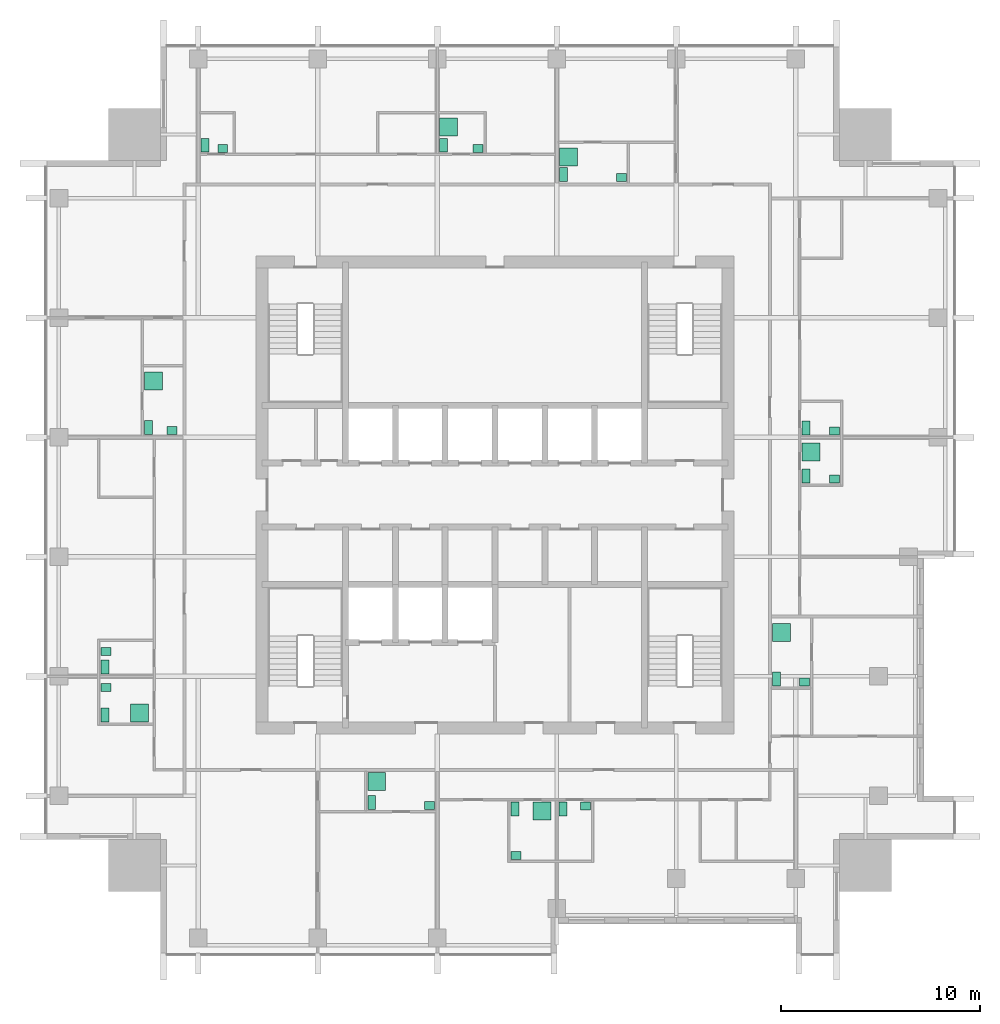
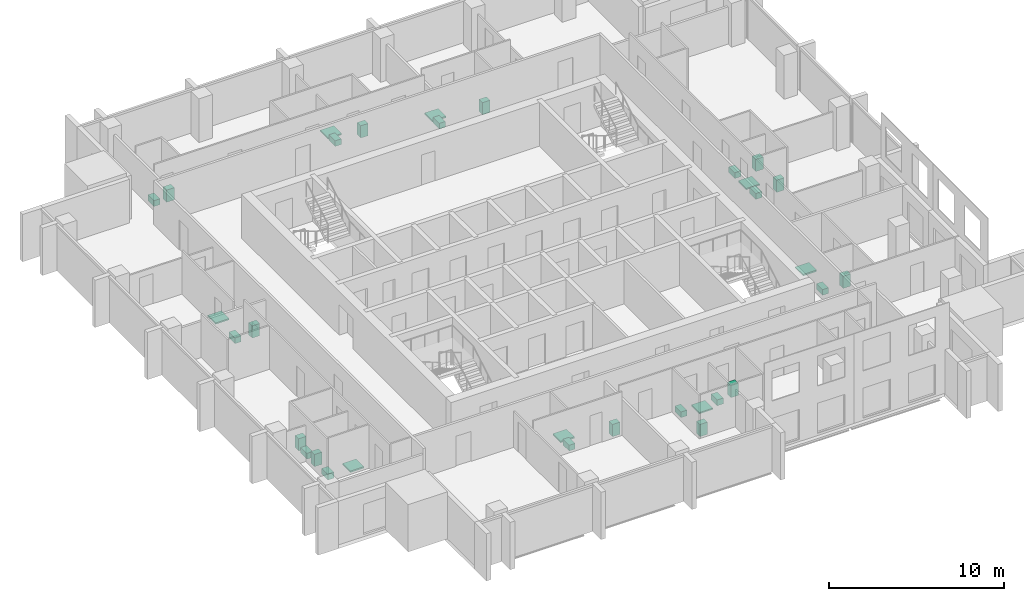
# One storey, part 11 of 11: 32 sanitary terminals.
"""IFC4 building model written with IfcOpenShell, lengths in metres."""

from ifc_helpers import new_model, si_unit, direction, frame, origin, origin_2d, place, context, subcontext, project, spatial, rectangle, extrude, element, save


model = new_model("IFC4")

# Units and contexts
model_context = context("Model", 3, precision=1e-05, world=origin(), true_north=direction((0.0, 1.0)))
body_context = subcontext(model_context, "Body", "Model", "MODEL_VIEW")
ifc_project = project(units=[si_unit("LENGTHUNIT", "METRE"), si_unit("AREAUNIT", "SQUARE_METRE"), si_unit("VOLUMEUNIT", "CUBIC_METRE"), si_unit("PLANEANGLEUNIT", "RADIAN"), si_unit("MASSUNIT", "GRAM", prefix="KILO")], contexts=[model_context])

# Site, building, storey
site_placement = place(None, origin())
site = spatial("IfcSite", under=ifc_project, at=site_placement, CompositionType="ELEMENT")
building_placement = place(site_placement, origin())
building = spatial("IfcBuilding", under=site, at=building_placement, Name="Amberfall Residences", CompositionType="ELEMENT")
storey_placement = place(building_placement, frame((0.0, 0.0, 223.300048828125)))
storey = spatial("IfcBuildingStorey", under=building, at=storey_placement, Name="L60", CompositionType="ELEMENT", Elevation=223.300048828125)

# Sanitary terminals
sanitary_terminal_1_placement = place(storey_placement, frame((68.31005859375, 30.06005859375, 0.0), z_axis=(0.0, 0.0, 1.0), x_axis=(1.0, 0.0, 0.0)))
element("IfcSanitaryTerminal", 1, at=sanitary_terminal_1_placement, inside=storey, Name="Water closet 6001", PredefinedType="TOILETPAN", context=body_context, shape_type="SweptSolid", body=[
    extrude(rectangle(XDim=0.39990234375, YDim=0.699951171875, at=origin_2d()), origin(), (0.0, 0.0, 1.0), 0.39990234375),
])
sanitary_terminal_2_placement = place(storey_placement, frame((71.215087890625, 29.909912109375, 0.0), z_axis=(0.0, 0.0, 1.0), x_axis=(1.0, 0.0, 0.0)))
element("IfcSanitaryTerminal", 2, at=sanitary_terminal_2_placement, inside=storey, Name="Basin 6001", PredefinedType="WASHHANDBASIN", context=body_context, shape_type="SweptSolid", body=[
    extrude(rectangle(XDim=0.5, YDim=0.39990234375, at=origin_2d()), origin(), (0.0, 0.0, 1.0), 0.85009765625),
])
sanitary_terminal_3_placement = place(storey_placement, frame((68.56005859375, 31.114990234375, 0.0), z_axis=(0.0, 0.0, 1.0), x_axis=(1.0, 0.0, 0.0)))
element("IfcSanitaryTerminal", 3, at=sanitary_terminal_3_placement, inside=storey, Name="Shower tray 6001", PredefinedType="SHOWER", context=body_context, shape_type="SweptSolid", body=[
    extrude(rectangle(XDim=0.89990234375, YDim=0.89990234375, at=origin_2d()), origin(), (0.0, 0.0, 1.0), 0.10009765625),
])
sanitary_terminal_4_placement = place(storey_placement, frame((77.909912109375, 29.739990234375, 0.0), z_axis=(0.0, 0.0, 1.0), x_axis=(1.0, 0.0, 0.0)))
element("IfcSanitaryTerminal", 4, at=sanitary_terminal_4_placement, inside=storey, Name="Water closet 6002 1", PredefinedType="TOILETPAN", context=body_context, shape_type="SweptSolid", body=[
    extrude(rectangle(XDim=0.39990234375, YDim=0.699951171875, at=origin_2d()), origin(), (0.0, 0.0, 1.0), 0.39990234375),
])
sanitary_terminal_5_placement = place(storey_placement, frame((79.0400390625, 29.889892578125, 0.0), z_axis=(0.0, 0.0, 1.0), x_axis=(1.0, 0.0, 0.0)))
element("IfcSanitaryTerminal", 5, at=sanitary_terminal_5_placement, inside=storey, Name="Basin 6002 1", PredefinedType="WASHHANDBASIN", context=body_context, shape_type="SweptSolid", body=[
    extrude(rectangle(XDim=0.5, YDim=0.39990234375, at=origin_2d()), origin(), (0.0, 0.0, 1.0), 0.85009765625),
])
sanitary_terminal_6_placement = place(storey_placement, frame((75.510009765625, 29.739990234375, 0.0), z_axis=(0.0, 0.0, 1.0), x_axis=(1.0, 0.0, 0.0)))
element("IfcSanitaryTerminal", 6, at=sanitary_terminal_6_placement, inside=storey, Name="Water closet 6002", PredefinedType="TOILETPAN", context=body_context, shape_type="SweptSolid", body=[
    extrude(rectangle(XDim=0.39990234375, YDim=0.699951171875, at=origin_2d()), origin(), (0.0, 0.0, 1.0), 0.39990234375),
])
sanitary_terminal_7_placement = place(storey_placement, frame((75.56005859375, 27.409912109375, 0.0), z_axis=(0.0, 0.0, 1.0), x_axis=(1.0, 0.0, 0.0)))
element("IfcSanitaryTerminal", 7, at=sanitary_terminal_7_placement, inside=storey, Name="Basin 6002", PredefinedType="WASHHANDBASIN", context=body_context, shape_type="SweptSolid", body=[
    extrude(rectangle(XDim=0.5, YDim=0.39990234375, at=origin_2d()), origin(), (0.0, 0.0, 1.0), 0.85009765625),
])
sanitary_terminal_8_placement = place(storey_placement, frame((76.857177734375, 29.639892578125, 0.0), z_axis=(0.0, 0.0, 1.0), x_axis=(1.0, 0.0, 0.0)))
element("IfcSanitaryTerminal", 8, at=sanitary_terminal_8_placement, inside=storey, Name="Shower tray 6002", PredefinedType="SHOWER", context=body_context, shape_type="SweptSolid", body=[
    extrude(rectangle(XDim=0.89990234375, YDim=0.89990234375, at=origin_2d()), origin(), (0.0, 0.0, 1.0), 0.10009765625),
])
sanitary_terminal_9_placement = place(storey_placement, frame((88.635009765625, 36.260009765625, 0.0), z_axis=(0.0, 0.0, 1.0), x_axis=(1.0, 0.0, 0.0)))
element("IfcSanitaryTerminal", 9, at=sanitary_terminal_9_placement, inside=storey, Name="Water closet 6003", PredefinedType="TOILETPAN", context=body_context, shape_type="SweptSolid", body=[
    extrude(rectangle(XDim=0.39990234375, YDim=0.699951171875, at=origin_2d()), origin(), (0.0, 0.0, 1.0), 0.39990234375),
])
sanitary_terminal_10_placement = place(storey_placement, frame((90.0400390625, 36.110107421875, 0.0), z_axis=(0.0, 0.0, 1.0), x_axis=(1.0, 0.0, 0.0)))
element("IfcSanitaryTerminal", 10, at=sanitary_terminal_10_placement, inside=storey, Name="Basin 6003", PredefinedType="WASHHANDBASIN", context=body_context, shape_type="SweptSolid", body=[
    extrude(rectangle(XDim=0.5, YDim=0.39990234375, at=origin_2d()), origin(), (0.0, 0.0, 1.0), 0.85009765625),
])
sanitary_terminal_11_placement = place(storey_placement, frame((88.885009765625, 38.591796875, 0.0), z_axis=(0.0, 0.0, 1.0), x_axis=(1.0, 0.0, 0.0)))
element("IfcSanitaryTerminal", 11, at=sanitary_terminal_11_placement, inside=storey, Name="Shower tray 6003", PredefinedType="SHOWER", context=body_context, shape_type="SweptSolid", body=[
    extrude(rectangle(XDim=0.89990234375, YDim=0.89990234375, at=origin_2d()), origin(), (0.0, 0.0, 1.0), 0.10009765625),
])
sanitary_terminal_12_placement = place(storey_placement, frame((90.110107421875, 48.860107421875, 0.0), z_axis=(0.0, 0.0, 1.0), x_axis=(1.0, 0.0, 0.0)))
element("IfcSanitaryTerminal", 12, at=sanitary_terminal_12_placement, inside=storey, Name="Water closet 6004 1", PredefinedType="TOILETPAN", context=body_context, shape_type="SweptSolid", body=[
    extrude(rectangle(XDim=0.39990234375, YDim=0.699951171875, at=origin_2d()), origin(), (0.0, 0.0, 1.0), 0.39990234375),
])
sanitary_terminal_13_placement = place(storey_placement, frame((91.5400390625, 48.7099609375, 0.0), z_axis=(0.0, 0.0, 1.0), x_axis=(1.0, 0.0, 0.0)))
element("IfcSanitaryTerminal", 13, at=sanitary_terminal_13_placement, inside=storey, Name="Basin 6004 1", PredefinedType="WASHHANDBASIN", context=body_context, shape_type="SweptSolid", body=[
    extrude(rectangle(XDim=0.5, YDim=0.39990234375, at=origin_2d()), origin(), (0.0, 0.0, 1.0), 0.85009765625),
])
sanitary_terminal_14_placement = place(storey_placement, frame((90.110107421875, 46.4599609375, 0.0), z_axis=(0.0, 0.0, 1.0), x_axis=(1.0, 0.0, 0.0)))
element("IfcSanitaryTerminal", 14, at=sanitary_terminal_14_placement, inside=storey, Name="Water closet 6004", PredefinedType="TOILETPAN", context=body_context, shape_type="SweptSolid", body=[
    extrude(rectangle(XDim=0.39990234375, YDim=0.699951171875, at=origin_2d()), origin(), (0.0, 0.0, 1.0), 0.39990234375),
])
sanitary_terminal_15_placement = place(storey_placement, frame((91.5400390625, 46.31005859375, 0.0), z_axis=(0.0, 0.0, 1.0), x_axis=(1.0, 0.0, 0.0)))
element("IfcSanitaryTerminal", 15, at=sanitary_terminal_15_placement, inside=storey, Name="Basin 6004", PredefinedType="WASHHANDBASIN", context=body_context, shape_type="SweptSolid", body=[
    extrude(rectangle(XDim=0.5, YDim=0.39990234375, at=origin_2d()), origin(), (0.0, 0.0, 1.0), 0.85009765625),
])
sanitary_terminal_16_placement = place(storey_placement, frame((90.360107421875, 47.6572265625, 0.0), z_axis=(0.0, 0.0, 1.0), x_axis=(1.0, 0.0, 0.0)))
element("IfcSanitaryTerminal", 16, at=sanitary_terminal_16_placement, inside=storey, Name="Shower tray 6004", PredefinedType="SHOWER", context=body_context, shape_type="SweptSolid", body=[
    extrude(rectangle(XDim=0.89990234375, YDim=0.89990234375, at=origin_2d()), origin(), (0.0, 0.0, 1.0), 0.10009765625),
])
sanitary_terminal_17_placement = place(storey_placement, frame((59.93505859375, 63.06005859375, 0.0), z_axis=(0.0, 0.0, 1.0), x_axis=(1.0, 0.0, 0.0)))
element("IfcSanitaryTerminal", 17, at=sanitary_terminal_17_placement, inside=storey, Name="Water closet 6005 1", PredefinedType="TOILETPAN", context=body_context, shape_type="SweptSolid", body=[
    extrude(rectangle(XDim=0.39990234375, YDim=0.699951171875, at=origin_2d()), origin(), (0.0, 0.0, 1.0), 0.39990234375),
])
sanitary_terminal_18_placement = place(storey_placement, frame((60.8291015625, 62.909912109375, 0.0), z_axis=(0.0, 0.0, 1.0), x_axis=(1.0, 0.0, 0.0)))
element("IfcSanitaryTerminal", 18, at=sanitary_terminal_18_placement, inside=storey, Name="Basin 6005 1", PredefinedType="WASHHANDBASIN", context=body_context, shape_type="SweptSolid", body=[
    extrude(rectangle(XDim=0.5, YDim=0.39990234375, at=origin_2d()), origin(), (0.0, 0.0, 1.0), 0.85009765625),
])
sanitary_terminal_19_placement = place(storey_placement, frame((71.909912109375, 63.06005859375, 0.0), z_axis=(0.0, 0.0, 1.0), x_axis=(1.0, 0.0, 0.0)))
element("IfcSanitaryTerminal", 19, at=sanitary_terminal_19_placement, inside=storey, Name="Water closet 6005", PredefinedType="TOILETPAN", context=body_context, shape_type="SweptSolid", body=[
    extrude(rectangle(XDim=0.39990234375, YDim=0.699951171875, at=origin_2d()), origin(), (0.0, 0.0, 1.0), 0.39990234375),
])
sanitary_terminal_20_placement = place(storey_placement, frame((73.639892578125, 62.909912109375, 0.0), z_axis=(0.0, 0.0, 1.0), x_axis=(1.0, 0.0, 0.0)))
element("IfcSanitaryTerminal", 20, at=sanitary_terminal_20_placement, inside=storey, Name="Basin 6005", PredefinedType="WASHHANDBASIN", context=body_context, shape_type="SweptSolid", body=[
    extrude(rectangle(XDim=0.5, YDim=0.39990234375, at=origin_2d()), origin(), (0.0, 0.0, 1.0), 0.85009765625),
])
sanitary_terminal_21_placement = place(storey_placement, frame((72.159912109375, 63.9765625, 0.0), z_axis=(0.0, 0.0, 1.0), x_axis=(1.0, 0.0, 0.0)))
element("IfcSanitaryTerminal", 21, at=sanitary_terminal_21_placement, inside=storey, Name="Shower tray 6005", PredefinedType="SHOWER", context=body_context, shape_type="SweptSolid", body=[
    extrude(rectangle(XDim=0.89990234375, YDim=0.89990234375, at=origin_2d()), origin(), (0.0, 0.0, 1.0), 0.10009765625),
])
sanitary_terminal_22_placement = place(storey_placement, frame((77.93505859375, 61.5849609375, 0.0), z_axis=(0.0, 0.0, 1.0), x_axis=(1.0, 0.0, 0.0)))
element("IfcSanitaryTerminal", 22, at=sanitary_terminal_22_placement, inside=storey, Name="Water closet 6006", PredefinedType="TOILETPAN", context=body_context, shape_type="SweptSolid", body=[
    extrude(rectangle(XDim=0.39990234375, YDim=0.699951171875, at=origin_2d()), origin(), (0.0, 0.0, 1.0), 0.39990234375),
])
sanitary_terminal_23_placement = place(storey_placement, frame((80.840087890625, 61.43505859375, 0.0), z_axis=(0.0, 0.0, 1.0), x_axis=(1.0, 0.0, 0.0)))
element("IfcSanitaryTerminal", 23, at=sanitary_terminal_23_placement, inside=storey, Name="Basin 6006", PredefinedType="WASHHANDBASIN", context=body_context, shape_type="SweptSolid", body=[
    extrude(rectangle(XDim=0.5, YDim=0.39990234375, at=origin_2d()), origin(), (0.0, 0.0, 1.0), 0.85009765625),
])
sanitary_terminal_24_placement = place(storey_placement, frame((78.18505859375, 62.480712890625, 0.0), z_axis=(0.0, 0.0, 1.0), x_axis=(1.0, 0.0, 0.0)))
element("IfcSanitaryTerminal", 24, at=sanitary_terminal_24_placement, inside=storey, Name="Shower tray 6006", PredefinedType="SHOWER", context=body_context, shape_type="SweptSolid", body=[
    extrude(rectangle(XDim=0.89990234375, YDim=0.89990234375, at=origin_2d()), origin(), (0.0, 0.0, 1.0), 0.10009765625),
])
sanitary_terminal_25_placement = place(storey_placement, frame((54.909912109375, 36.860107421875, 0.0), z_axis=(0.0, 0.0, 1.0), x_axis=(1.0, 0.0, 0.0)))
element("IfcSanitaryTerminal", 25, at=sanitary_terminal_25_placement, inside=storey, Name="Water closet 6007 1", PredefinedType="TOILETPAN", context=body_context, shape_type="SweptSolid", body=[
    extrude(rectangle(XDim=0.39990234375, YDim=0.699951171875, at=origin_2d()), origin(), (0.0, 0.0, 1.0), 0.39990234375),
])
sanitary_terminal_26_placement = place(storey_placement, frame((54.9599609375, 37.654052734375, 0.0), z_axis=(0.0, 0.0, 1.0), x_axis=(1.0, 0.0, 0.0)))
element("IfcSanitaryTerminal", 26, at=sanitary_terminal_26_placement, inside=storey, Name="Basin 6007 1", PredefinedType="WASHHANDBASIN", context=body_context, shape_type="SweptSolid", body=[
    extrude(rectangle(XDim=0.5, YDim=0.39990234375, at=origin_2d()), origin(), (0.0, 0.0, 1.0), 0.85009765625),
])
sanitary_terminal_27_placement = place(storey_placement, frame((54.909912109375, 34.4599609375, 0.0), z_axis=(0.0, 0.0, 1.0), x_axis=(1.0, 0.0, 0.0)))
element("IfcSanitaryTerminal", 27, at=sanitary_terminal_27_placement, inside=storey, Name="Water closet 6007", PredefinedType="TOILETPAN", context=body_context, shape_type="SweptSolid", body=[
    extrude(rectangle(XDim=0.39990234375, YDim=0.699951171875, at=origin_2d()), origin(), (0.0, 0.0, 1.0), 0.39990234375),
])
sanitary_terminal_28_placement = place(storey_placement, frame((54.9599609375, 35.835693359375, 0.0), z_axis=(0.0, 0.0, 1.0), x_axis=(1.0, 0.0, 0.0)))
element("IfcSanitaryTerminal", 28, at=sanitary_terminal_28_placement, inside=storey, Name="Basin 6007", PredefinedType="WASHHANDBASIN", context=body_context, shape_type="SweptSolid", body=[
    extrude(rectangle(XDim=0.5, YDim=0.39990234375, at=origin_2d()), origin(), (0.0, 0.0, 1.0), 0.85009765625),
])
sanitary_terminal_29_placement = place(storey_placement, frame((56.6533203125, 34.56005859375, 0.0), z_axis=(0.0, 0.0, 1.0), x_axis=(1.0, 0.0, 0.0)))
element("IfcSanitaryTerminal", 29, at=sanitary_terminal_29_placement, inside=storey, Name="Shower tray 6007", PredefinedType="SHOWER", context=body_context, shape_type="SweptSolid", body=[
    extrude(rectangle(XDim=0.89990234375, YDim=0.89990234375, at=origin_2d()), origin(), (0.0, 0.0, 1.0), 0.10009765625),
])
sanitary_terminal_30_placement = place(storey_placement, frame((57.110107421875, 48.885009765625, 0.0), z_axis=(0.0, 0.0, 1.0), x_axis=(1.0, 0.0, 0.0)))
element("IfcSanitaryTerminal", 30, at=sanitary_terminal_30_placement, inside=storey, Name="Water closet 6008", PredefinedType="TOILETPAN", context=body_context, shape_type="SweptSolid", body=[
    extrude(rectangle(XDim=0.39990234375, YDim=0.699951171875, at=origin_2d()), origin(), (0.0, 0.0, 1.0), 0.39990234375),
])
sanitary_terminal_31_placement = place(storey_placement, frame((58.2890625, 48.735107421875, 0.0), z_axis=(0.0, 0.0, 1.0), x_axis=(1.0, 0.0, 0.0)))
element("IfcSanitaryTerminal", 31, at=sanitary_terminal_31_placement, inside=storey, Name="Basin 6008", PredefinedType="WASHHANDBASIN", context=body_context, shape_type="SweptSolid", body=[
    extrude(rectangle(XDim=0.5, YDim=0.39990234375, at=origin_2d()), origin(), (0.0, 0.0, 1.0), 0.85009765625),
])
sanitary_terminal_32_placement = place(storey_placement, frame((57.360107421875, 51.216796875, 0.0), z_axis=(0.0, 0.0, 1.0), x_axis=(1.0, 0.0, 0.0)))
element("IfcSanitaryTerminal", 32, at=sanitary_terminal_32_placement, inside=storey, Name="Shower tray 6008", PredefinedType="SHOWER", context=body_context, shape_type="SweptSolid", body=[
    extrude(rectangle(XDim=0.89990234375, YDim=0.89990234375, at=origin_2d()), origin(), (0.0, 0.0, 1.0), 0.10009765625),
])

save(model, "model.ifc")
